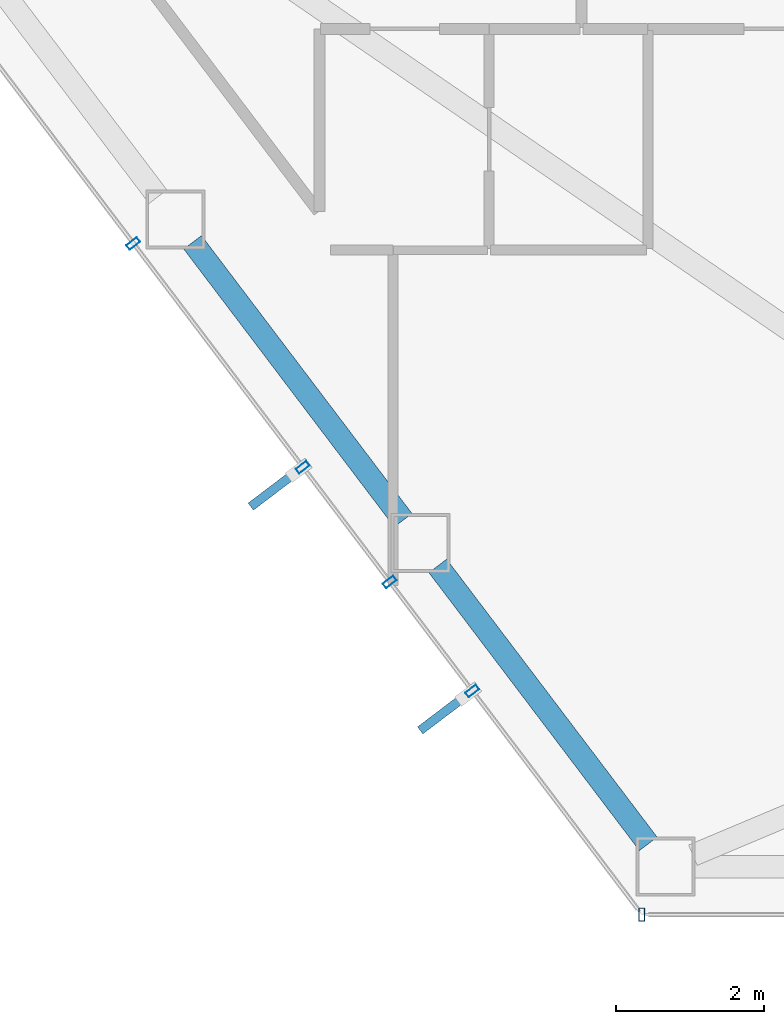
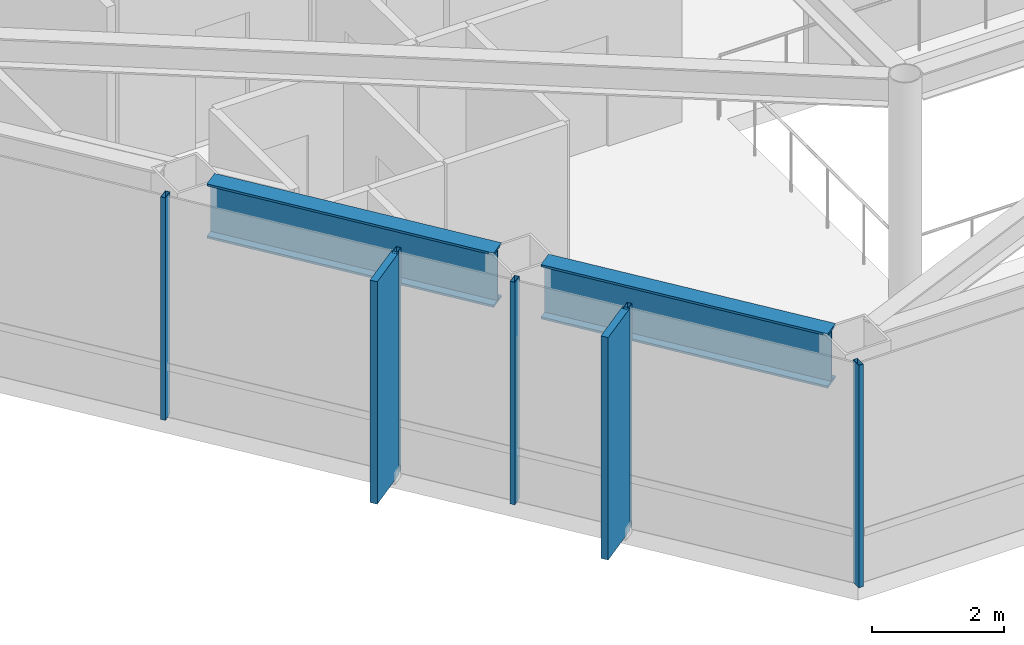
# One storey, part 2 of 27: 7 members, 2 beams, 2 elements without a shape of their own.
"""IFC4 building model written with IfcOpenShell, lengths in metres."""

from ifc_helpers import new_model, si_unit, direction, frame, origin, origin_2d, place, context, subcontext, project, spatial, rectangle, hollow_rectangle, i_section, extrude, material, layer, layer_set, material_profile, profile_set, type_object, element, aggregate, save


model = new_model("IFC4")

# Units and contexts
model_context = context("Model", 3, precision=1e-05, world=origin(), true_north=direction((0.0, 1.0)))
body_context = subcontext(model_context, "Body", "Model", "MODEL_VIEW")
ifc_project = project(units=[si_unit("LENGTHUNIT", "METRE"), si_unit("AREAUNIT", "SQUARE_METRE"), si_unit("VOLUMEUNIT", "CUBIC_METRE"), si_unit("PLANEANGLEUNIT", "RADIAN"), si_unit("MASSUNIT", "GRAM", prefix="KILO")], contexts=[model_context])

# Site, building, storey
site_placement = place(None, origin())
site = spatial("IfcSite", under=ifc_project, at=site_placement, CompositionType="ELEMENT")
building_placement = place(site_placement, origin())
building = spatial("IfcBuilding", under=site, at=building_placement, Name="Zarrinselat Tower", CompositionType="ELEMENT")
storey_placement = place(building_placement, frame((0.0, 0.0, 114.580078125)))
storey = spatial("IfcBuildingStorey", under=building, at=storey_placement, Name="L27", CompositionType="ELEMENT", Elevation=114.580078125)

# Beams
ifc_material_1 = material(Name="Steel S460M", Category="steel")
ifc_material_profile_1 = material_profile(ifc_material_1, i_section(OverallWidth=0.302001953125, OverallDepth=1.008056640625, WebThickness=0.02099609375, FlangeThickness=0.0400390625, at=origin_2d()), Name="HEM 1000")
ifc_profile_set_1 = profile_set([ifc_material_profile_1], Name="Steel S460M")
beam_type = type_object("IfcBeamType", Name="BM-HEM1000", PredefinedType="BEAM", material=ifc_profile_set_1)
for number, where, z_axis, x_axis, name in (
    (1, (23.281982421875, 27.2568359375, 3.615966796875), (0.603837789108, -0.797107222678, 0.0), (0.797107222678, 0.603837789108, 0.0), "L27 Perimeter Spandrel Girder SP08"),
    (2, (26.603515625, 22.872314453125, 3.615966796875), (0.603837789108, -0.797107222678, 0.0), (0.797107222678, 0.603837789108, 0.0), "L27 Perimeter Spandrel Girder SP09"),
):
    element("IfcBeam", number, at=place(storey_placement, frame(where, z_axis=z_axis, x_axis=x_axis)), inside=storey, type_object=beam_type, Name=name, PredefinedType="BEAM", context=body_context, shape_type="SweptSolid", body=[
        extrude(i_section(OverallWidth=0.302001953125, OverallDepth=1.008056640625, WebThickness=0.02099609375, FlangeThickness=0.0400390625, at=origin_2d()), origin(), (0.0, 0.0, 1.0), 4.724365234375),
    ])

# Curtain wall, member
ifc_material_2 = material(Name="Extruded Aluminium Alloy EN AW-6063 T6", Category="aluminium")
ifc_layer = layer(ifc_material_2, 0.195068359375)
ifc_layer_set = layer_set([ifc_layer], Name="Extruded Aluminium Alloy EN AW-6063 T6")
curtain_wall_type = type_object("IfcCurtainWallType", Name="CWS-GDN", PredefinedType="NOTDEFINED", material=ifc_layer_set)
curtain_wall_1_placement = place(storey_placement, origin())
curtain_wall_1 = element("IfcCurtainWall", 3, at=curtain_wall_1_placement, inside=storey, type_object=curtain_wall_type, Name="L27 Unitised Curtain Wall CW-L27-E01", PredefinedType="NOTDEFINED")
ifc_material_3 = material(Name="Extruded Aluminium Alloy EN AW-6063 T6", Category="aluminium")
ifc_material_profile_2 = material_profile(ifc_material_3, hollow_rectangle(XDim=0.080078125, YDim=0.179931640625, WallThickness=0.0048828125, at=origin_2d()), Name="RHS 180x80x5")
ifc_profile_set_2 = profile_set([ifc_material_profile_2], Name="Extruded Aluminium Alloy EN AW-6063 T6")
member_type_1 = type_object("IfcMemberType", Name="MEM-CW-MUL", PredefinedType="MULLION", material=ifc_profile_set_2)
member_1_placement = place(storey_placement, frame((29.36767578125, 18.147216796875, 0.0), z_axis=(0.0, 0.0, 1.0), x_axis=(-1.0, 0.0, 0.0)))
member_1 = element("IfcMember", 4, at=member_1_placement, type_object=member_type_1, Name="CW-L27-E01 Mullion 6", PredefinedType="MULLION", context=body_context, shape_type="SweptSolid", body=[
    extrude(hollow_rectangle(XDim=0.080078125, YDim=0.179931640625, WallThickness=0.0048828125, at=origin_2d()), origin(), (0.0, 0.0, 1.0), 4.119873046875),
])
aggregate(curtain_wall_1, [member_1])

# Curtain wall, members
curtain_wall_2_placement = place(storey_placement, origin())
curtain_wall_2 = element("IfcCurtainWall", 5, at=curtain_wall_2_placement, inside=storey, type_object=curtain_wall_type, Name="L27 Unitised Curtain Wall CW-L27-E02", PredefinedType="NOTDEFINED")
member_2_placement = place(storey_placement, frame((27.0712890625, 21.178466796875, 0.0), z_axis=(0.0, 0.0, 1.0), x_axis=(-0.603858025511, 0.79709189246, 0.0)))
member_2 = element("IfcMember", 6, at=member_2_placement, type_object=member_type_1, Name="CW-L27-E02 Mullion 1", PredefinedType="MULLION", context=body_context, shape_type="SweptSolid", body=[
    extrude(hollow_rectangle(XDim=0.080078125, YDim=0.179931640625, WallThickness=0.0048828125, at=origin_2d()), origin(), (0.0, 0.0, 1.0), 4.119873046875),
])
member_3_placement = place(storey_placement, frame((25.9521484375, 22.655517578125, 0.0), z_axis=(0.0, 0.0, 1.0), x_axis=(-0.603858025511, 0.79709189246, 0.0)))
member_3 = element("IfcMember", 7, at=member_3_placement, type_object=member_type_1, Name="CW-L27-E02 Mullion 2", PredefinedType="MULLION", context=body_context, shape_type="SweptSolid", body=[
    extrude(hollow_rectangle(XDim=0.080078125, YDim=0.179931640625, WallThickness=0.0048828125, at=origin_2d()), origin(), (0.0, 0.0, 1.0), 4.119873046875),
])
member_4_placement = place(storey_placement, frame((24.77490234375, 24.209716796875, 0.0), z_axis=(0.0, 0.0, 1.0), x_axis=(-0.603858025511, 0.79709189246, 0.0)))
member_4 = element("IfcMember", 8, at=member_4_placement, type_object=member_type_1, Name="CW-L27-E02 Mullion 3", PredefinedType="MULLION", context=body_context, shape_type="SweptSolid", body=[
    extrude(hollow_rectangle(XDim=0.080078125, YDim=0.179931640625, WallThickness=0.0048828125, at=origin_2d()), origin(), (0.0, 0.0, 1.0), 4.119873046875),
])
member_5_placement = place(storey_placement, frame((22.478271484375, 27.2412109375, 0.0), z_axis=(0.0, 0.0, 1.0), x_axis=(-0.603858025511, 0.79709189246, 0.0)))
member_5 = element("IfcMember", 9, at=member_5_placement, type_object=member_type_1, Name="CW-L27-E02 Mullion 4", PredefinedType="MULLION", context=body_context, shape_type="SweptSolid", body=[
    extrude(hollow_rectangle(XDim=0.080078125, YDim=0.179931640625, WallThickness=0.0048828125, at=origin_2d()), origin(), (0.0, 0.0, 1.0), 4.119873046875),
])
ifc_material_4 = material(Name="Honed Cream Travertine Stone", Category="masonry")
ifc_material_profile_3 = material_profile(ifc_material_4, rectangle(XDim=0.1201171875, YDim=0.85009765625, at=origin_2d()), Name="FIN 850x120")
ifc_profile_set_3 = profile_set([ifc_material_profile_3], Name="Honed Cream Travertine Stone")
member_type_2 = type_object("IfcMemberType", Name="MEM-STONE-FIN", PredefinedType="USERDEFINED", material=ifc_profile_set_3)
member_6_placement = place(storey_placement, frame((26.70458984375, 20.900634765625, 0.0), z_axis=(0.0, 0.0, 1.0), x_axis=(-0.603858025511, 0.79709189246, 0.0)))
member_6 = element("IfcMember", 10, at=member_6_placement, type_object=member_type_2, Name="L27 Stone Shading Fin CW-L27-E02-01", ObjectType="FIN", PredefinedType="USERDEFINED", context=body_context, shape_type="SweptSolid", body=[
    extrude(rectangle(XDim=0.1201171875, YDim=0.85009765625, at=origin_2d()), origin(), (0.0, 0.0, 1.0), 4.119873046875),
])
member_7_placement = place(storey_placement, frame((24.408203125, 23.931884765625, 0.0), z_axis=(0.0, 0.0, 1.0), x_axis=(-0.603858025511, 0.79709189246, 0.0)))
member_7 = element("IfcMember", 11, at=member_7_placement, type_object=member_type_2, Name="L27 Stone Shading Fin CW-L27-E02-03", ObjectType="FIN", PredefinedType="USERDEFINED", context=body_context, shape_type="SweptSolid", body=[
    extrude(rectangle(XDim=0.1201171875, YDim=0.85009765625, at=origin_2d()), origin(), (0.0, 0.0, 1.0), 4.119873046875),
])
aggregate(curtain_wall_2, [member_2, member_6, member_3, member_4, member_7, member_5])

save(model, "model.ifc")
